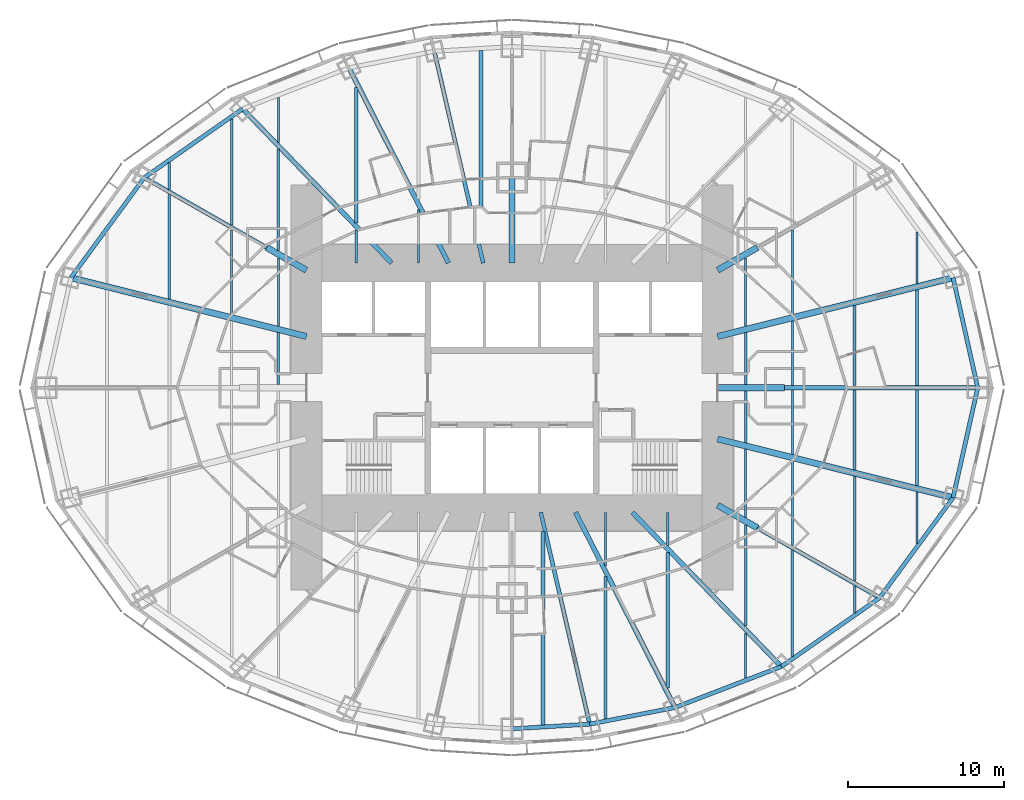
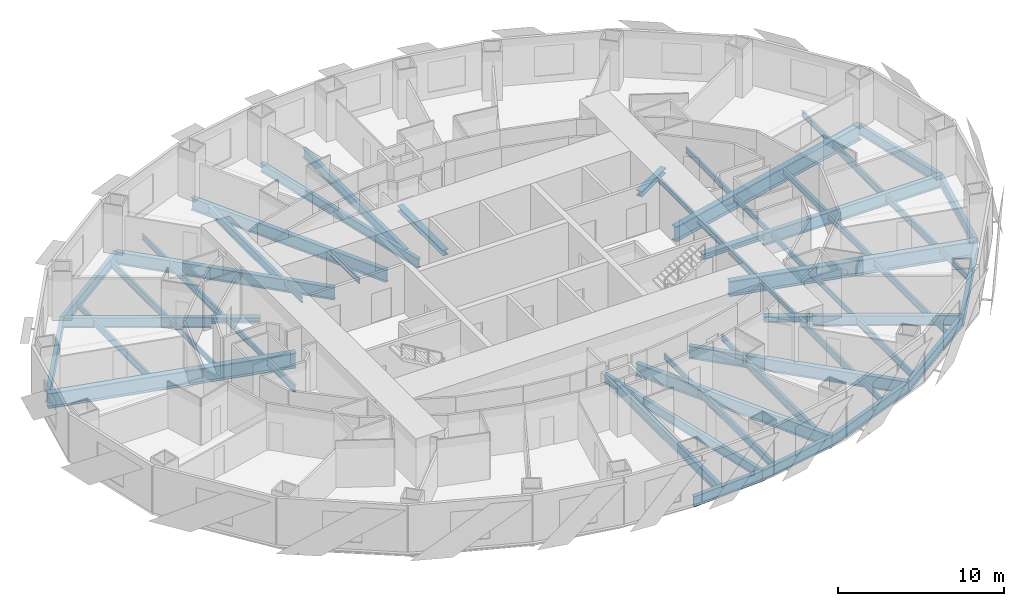
# One storey, part 2 of 15: 62 beams.
"""IFC4 building model written with IfcOpenShell, lengths in metres."""

from ifc_helpers import new_model, si_unit, direction, frame, origin, origin_2d, place, context, subcontext, project, spatial, i_section, extrude, material, material_profile, profile_set, type_object, element, save


model = new_model("IFC4")

# Units and contexts
model_context = context("Model", 3, precision=1e-05, world=origin(), true_north=direction((0.0, 1.0)))
body_context = subcontext(model_context, "Body", "Model", "MODEL_VIEW")
ifc_project = project(units=[si_unit("LENGTHUNIT", "METRE"), si_unit("AREAUNIT", "SQUARE_METRE"), si_unit("VOLUMEUNIT", "CUBIC_METRE"), si_unit("PLANEANGLEUNIT", "RADIAN"), si_unit("MASSUNIT", "GRAM", prefix="KILO")], contexts=[model_context])

# Site, building, storey
site_placement = place(None, origin())
site = spatial("IfcSite", under=ifc_project, at=site_placement, CompositionType="ELEMENT")
building_placement = place(site_placement, origin())
building = spatial("IfcBuilding", under=site, at=building_placement, Name="Lantaw Convention Tower", CompositionType="ELEMENT")
storey_placement = place(building_placement, frame((0.0, 0.0, 55.0)))
storey = spatial("IfcBuildingStorey", under=building, at=storey_placement, Name="L11", CompositionType="ELEMENT", Elevation=55.0)

# Beams
ifc_material = material(Name="Steel ASTM A992", Category="steel")
ifc_material_profile_1 = material_profile(ifc_material, i_section(OverallWidth=0.2666015625, OverallDepth=0.76953125, WebThickness=0.015625, FlangeThickness=0.025390625, FilletRadius=0.0126953125, at=origin_2d()), Name="W30X132")
ifc_profile_set_1 = profile_set([ifc_material_profile_1], Name="Steel ASTM A992")
beam_type_1 = type_object("IfcBeamType", Name="Beam E W30X132", PredefinedType="SPANDREL", material=ifc_profile_set_1)
beam_1_placement = place(storey_placement, frame((29.89990234375, 0.0, -0.534912109375), z_axis=(-0.218652184873, 0.975802860239, 0.0), x_axis=(-0.975802860239, -0.218652184873, 0.0)))
element("IfcBeam", 1, at=beam_1_placement, inside=storey, type_object=beam_type_1, Name="Edge beam 1", PredefinedType="SPANDREL", context=body_context, shape_type="SweptSolid", body=[
    extrude(i_section(OverallWidth=0.2666015625, OverallDepth=0.76953125, WebThickness=0.015625, FlangeThickness=0.025390625, FilletRadius=0.0126953125, at=origin_2d()), origin(), (0.0, 0.0, 1.0), 7.2353515625),
])
beam_2_placement = place(storey_placement, frame((-17.290771484375, 17.9052734375, -0.534912109375), z_axis=(-0.81942686407, -0.57318375277, 0.0), x_axis=(0.57318375277, -0.81942686407, 0.0)))
element("IfcBeam", 2, at=beam_2_placement, inside=storey, type_object=beam_type_1, Name="Edge beam 10", PredefinedType="SPANDREL", context=body_context, shape_type="SweptSolid", body=[
    extrude(i_section(OverallWidth=0.2666015625, OverallDepth=0.76953125, WebThickness=0.015625, FlangeThickness=0.025390625, FilletRadius=0.0126953125, at=origin_2d()), origin(), (0.0, 0.0, 1.0), 7.70556640625),
])
beam_3_placement = place(storey_placement, frame((-23.60498046875, 13.488525390625, -0.534912109375), z_axis=(-0.591270709086, -0.806473154281, 0.0), x_axis=(0.806473154281, -0.591270709086, 0.0)))
element("IfcBeam", 3, at=beam_3_placement, inside=storey, type_object=beam_type_1, Name="Edge beam 11", PredefinedType="SPANDREL", context=body_context, shape_type="SweptSolid", body=[
    extrude(i_section(OverallWidth=0.2666015625, OverallDepth=0.76953125, WebThickness=0.015625, FlangeThickness=0.025390625, FilletRadius=0.0126953125, at=origin_2d()), origin(), (0.0, 0.0, 1.0), 7.970703125),
])
beam_4_placement = place(storey_placement, frame((0.0, -21.89990234375, -0.534912109375), z_axis=(0.998173858406, 0.060406526096, 0.0), x_axis=(-0.060406526096, 0.998173858406, 0.0)))
element("IfcBeam", 4, at=beam_4_placement, inside=storey, type_object=beam_type_1, Name="Edge beam 19", PredefinedType="SPANDREL", context=body_context, shape_type="SweptSolid", body=[
    extrude(i_section(OverallWidth=0.2666015625, OverallDepth=0.76953125, WebThickness=0.015625, FlangeThickness=0.025390625, FilletRadius=0.0126953125, at=origin_2d()), origin(), (0.0, 0.0, 1.0), 4.995361328125),
])
beam_5_placement = place(storey_placement, frame((4.986328125, -21.59814453125, -0.534912109375), z_axis=(0.981636565323, 0.190760723474, 0.0), x_axis=(-0.190760723474, 0.981636565323, 0.0)))
element("IfcBeam", 5, at=beam_5_placement, inside=storey, type_object=beam_type_1, Name="Edge beam 20", PredefinedType="SPANDREL", context=body_context, shape_type="SweptSolid", body=[
    extrude(i_section(OverallWidth=0.2666015625, OverallDepth=0.76953125, WebThickness=0.015625, FlangeThickness=0.025390625, FilletRadius=0.0126953125, at=origin_2d()), origin(), (0.0, 0.0, 1.0), 5.578857421875),
])
beam_6_placement = place(storey_placement, frame((10.462646484375, -20.533935546875, -0.534912109375), z_axis=(0.933232900641, 0.359271976588, 0.0), x_axis=(-0.359271976588, 0.933232900641, 0.0)))
element("IfcBeam", 6, at=beam_6_placement, inside=storey, type_object=beam_type_1, Name="Edge beam 21", PredefinedType="SPANDREL", context=body_context, shape_type="SweptSolid", body=[
    extrude(i_section(OverallWidth=0.2666015625, OverallDepth=0.76953125, WebThickness=0.015625, FlangeThickness=0.025390625, FilletRadius=0.0126953125, at=origin_2d()), origin(), (0.0, 0.0, 1.0), 7.316650390625),
])
beam_7_placement = place(storey_placement, frame((17.290771484375, -17.9052734375, -0.534912109375), z_axis=(0.81942686407, 0.57318375277, 0.0), x_axis=(-0.57318375277, 0.81942686407, 0.0)))
element("IfcBeam", 7, at=beam_7_placement, inside=storey, type_object=beam_type_1, Name="Edge beam 22", PredefinedType="SPANDREL", context=body_context, shape_type="SweptSolid", body=[
    extrude(i_section(OverallWidth=0.2666015625, OverallDepth=0.76953125, WebThickness=0.015625, FlangeThickness=0.025390625, FilletRadius=0.0126953125, at=origin_2d()), origin(), (0.0, 0.0, 1.0), 7.70556640625),
])
beam_8_placement = place(storey_placement, frame((23.60498046875, -13.488525390625, -0.534912109375), z_axis=(0.591270709086, 0.806473154281, 0.0), x_axis=(-0.806473154281, 0.591270709086, 0.0)))
element("IfcBeam", 8, at=beam_8_placement, inside=storey, type_object=beam_type_1, Name="Edge beam 23", PredefinedType="SPANDREL", context=body_context, shape_type="SweptSolid", body=[
    extrude(i_section(OverallWidth=0.2666015625, OverallDepth=0.76953125, WebThickness=0.015625, FlangeThickness=0.025390625, FilletRadius=0.0126953125, at=origin_2d()), origin(), (0.0, 0.0, 1.0), 7.970703125),
])
beam_9_placement = place(storey_placement, frame((28.31787109375, -7.060302734375, -0.534912109375), z_axis=(0.218652184873, 0.975802860239, 0.0), x_axis=(-0.975802860239, 0.218652184873, 0.0)))
element("IfcBeam", 9, at=beam_9_placement, inside=storey, type_object=beam_type_1, Name="Edge beam 24", PredefinedType="SPANDREL", context=body_context, shape_type="SweptSolid", body=[
    extrude(i_section(OverallWidth=0.2666015625, OverallDepth=0.76953125, WebThickness=0.015625, FlangeThickness=0.025390625, FilletRadius=0.0126953125, at=origin_2d()), origin(), (0.0, 0.0, 1.0), 7.2353515625),
])
ifc_material_profile_2 = material_profile(ifc_material, i_section(OverallWidth=0.25390625, OverallDepth=0.683349609375, WebThickness=0.012451171875, FlangeThickness=0.01904296875, FilletRadius=0.01513671875, at=origin_2d()), Name="W27X94")
ifc_profile_set_2 = profile_set([ifc_material_profile_2], Name="Steel ASTM A992")
beam_type_2 = type_object("IfcBeamType", Name="Beam G W27X94", PredefinedType="BEAM", material=ifc_profile_set_2)
for number, where, z_axis, x_axis, name in (
    (10, (-1.846923828125, 8.0, -0.49169921875), (-0.224952773175, 0.97436966796, 0.0), (-0.97436966796, -0.224952773175, 0.0), "Floor girder on ray 8"),
    (11, (1.846923828125, -8.0, -0.49169921875), (0.224952773175, -0.97436966796, 0.0), (0.97436966796, 0.224952773175, 0.0), "Floor girder on ray 20"),
):
    element("IfcBeam", number, at=place(storey_placement, frame(where, z_axis=z_axis, x_axis=x_axis)), inside=storey, type_object=beam_type_2, Name=name, PredefinedType="BEAM", context=body_context, shape_type="SweptSolid", body=[
        extrude(i_section(OverallWidth=0.25390625, OverallDepth=0.683349609375, WebThickness=0.012451171875, FlangeThickness=0.01904296875, FilletRadius=0.01513671875, at=origin_2d()), origin(), (0.0, 0.0, 1.0), 13.955810546875),
    ])
ifc_material_profile_3 = material_profile(ifc_material, i_section(OverallWidth=0.2666015625, OverallDepth=0.7568359375, WebThickness=0.013916015625, FlangeThickness=0.019287109375, FilletRadius=0.0126953125, at=origin_2d()), Name="W30X108")
ifc_profile_set_3 = profile_set([ifc_material_profile_3], Name="Steel ASTM A992")
beam_type_3 = type_object("IfcBeamType", Name="Beam G W30X108", PredefinedType="BEAM", material=ifc_profile_set_3)
for number, where, z_axis, x_axis, name in (
    (12, (-15.75, 9.0, -0.528564453125), (-0.868244802791, 0.496136032179, 0.0), (-0.496136032179, -0.868244802791, 0.0), "Floor girder on ray 11"),
    (13, (15.75, -9.0, -0.528564453125), (0.868244802791, -0.496136032179, 0.0), (0.496136032179, 0.868244802791, 0.0), "Floor girder on ray 23"),
):
    element("IfcBeam", number, at=place(storey_placement, frame(where, z_axis=z_axis, x_axis=x_axis)), inside=storey, type_object=beam_type_3, Name=name, PredefinedType="BEAM", context=body_context, shape_type="SweptSolid", body=[
        extrude(i_section(OverallWidth=0.2666015625, OverallDepth=0.7568359375, WebThickness=0.013916015625, FlangeThickness=0.019287109375, FilletRadius=0.0126953125, at=origin_2d()), origin(), (0.0, 0.0, 1.0), 9.046875),
    ])
ifc_material_profile_4 = material_profile(ifc_material, i_section(OverallWidth=0.307373046875, OverallDepth=0.922119140625, WebThickness=0.018310546875, FlangeThickness=0.030029296875, FilletRadius=0.0126953125, at=origin_2d()), Name="W36X182")
ifc_profile_set_4 = profile_set([ifc_material_profile_4], Name="Steel ASTM A992")
beam_type_4 = type_object("IfcBeamType", Name="Beam G W36X182", PredefinedType="BEAM", material=ifc_profile_set_4)
beam_10_placement = place(storey_placement, frame((17.5, 0.0, -0.611083984375), z_axis=(1.0, 0.0, 0.0), x_axis=(0.0, 1.0, 0.0)))
element("IfcBeam", 14, at=beam_10_placement, inside=storey, type_object=beam_type_4, Name="Floor girder on ray 1", PredefinedType="BEAM", context=body_context, shape_type="SweptSolid", body=[
    extrude(i_section(OverallWidth=0.307373046875, OverallDepth=0.922119140625, WebThickness=0.018310546875, FlangeThickness=0.030029296875, FilletRadius=0.0126953125, at=origin_2d()), origin(), (0.0, 0.0, 1.0), 12.39990234375),
])
beam_11_placement = place(storey_placement, frame((-4.076171875, 8.0, -0.611083984375), z_axis=(-0.453997016122, 0.891003203896, 0.0), x_axis=(-0.891003203896, -0.453997016122, 0.0)))
element("IfcBeam", 15, at=beam_11_placement, inside=storey, type_object=beam_type_4, Name="Floor girder on ray 9", PredefinedType="BEAM", context=body_context, shape_type="SweptSolid", body=[
    extrude(i_section(OverallWidth=0.307373046875, OverallDepth=0.922119140625, WebThickness=0.018310546875, FlangeThickness=0.030029296875, FilletRadius=0.0126953125, at=origin_2d()), origin(), (0.0, 0.0, 1.0), 14.067138671875),
])
beam_12_placement = place(storey_placement, frame((-7.7255859375, 8.0, -0.611083984375), z_axis=(-0.694649884291, 0.719347995239, 0.0), x_axis=(-0.719347995239, -0.694649884291, 0.0)))
element("IfcBeam", 16, at=beam_12_placement, inside=storey, type_object=beam_type_4, Name="Floor girder on ray 10", PredefinedType="BEAM", context=body_context, shape_type="SweptSolid", body=[
    extrude(i_section(OverallWidth=0.307373046875, OverallDepth=0.922119140625, WebThickness=0.018310546875, FlangeThickness=0.030029296875, FilletRadius=0.0126953125, at=origin_2d()), origin(), (0.0, 0.0, 1.0), 13.769775390625),
])
beam_13_placement = place(storey_placement, frame((4.076171875, -8.0, -0.611083984375), z_axis=(0.453997016122, -0.891003203896, 0.0), x_axis=(0.891003203896, 0.453997016122, 0.0)))
element("IfcBeam", 17, at=beam_13_placement, inside=storey, type_object=beam_type_4, Name="Floor girder on ray 21", PredefinedType="BEAM", context=body_context, shape_type="SweptSolid", body=[
    extrude(i_section(OverallWidth=0.307373046875, OverallDepth=0.922119140625, WebThickness=0.018310546875, FlangeThickness=0.030029296875, FilletRadius=0.0126953125, at=origin_2d()), origin(), (0.0, 0.0, 1.0), 14.067138671875),
])
beam_14_placement = place(storey_placement, frame((7.7255859375, -8.0, -0.611083984375), z_axis=(0.694649884291, -0.719347995239, 0.0), x_axis=(0.719347995239, 0.694649884291, 0.0)))
element("IfcBeam", 18, at=beam_14_placement, inside=storey, type_object=beam_type_4, Name="Floor girder on ray 22", PredefinedType="BEAM", context=body_context, shape_type="SweptSolid", body=[
    extrude(i_section(OverallWidth=0.307373046875, OverallDepth=0.922119140625, WebThickness=0.018310546875, FlangeThickness=0.030029296875, FilletRadius=0.0126953125, at=origin_2d()), origin(), (0.0, 0.0, 1.0), 13.769775390625),
])
ifc_material_profile_5 = material_profile(ifc_material, i_section(OverallWidth=0.40380859375, OverallDepth=1.11767578125, WebThickness=0.026123046875, FlangeThickness=0.044921875, FilletRadius=0.02001953125, at=origin_2d()), Name="W44X335")
ifc_profile_set_5 = profile_set([ifc_material_profile_5], Name="Steel ASTM A992")
beam_type_5 = type_object("IfcBeamType", Name="Beam G W44X335", PredefinedType="BEAM", material=ifc_profile_set_5)
for number, where, z_axis, x_axis, name in (
    (19, (13.199951171875, 3.291015625, -0.708740234375), (0.970296233567, 0.241919860957, 0.0), (-0.241919860957, 0.970296233567, 0.0), "Floor girder on ray 2"),
    (20, (-13.199951171875, 3.291015625, -0.708740234375), (-0.970296233567, 0.241919860957, 0.0), (-0.241919860957, -0.970296233567, 0.0), "Floor girder on ray 12"),
    (21, (13.199951171875, -3.291015625, -0.708740234375), (0.970296233567, -0.241919860957, 0.0), (0.241919860957, 0.970296233567, 0.0), "Floor girder on ray 24"),
):
    element("IfcBeam", number, at=place(storey_placement, frame(where, z_axis=z_axis, x_axis=x_axis)), inside=storey, type_object=beam_type_5, Name=name, PredefinedType="BEAM", context=body_context, shape_type="SweptSolid", body=[
        extrude(i_section(OverallWidth=0.40380859375, OverallDepth=1.11767578125, WebThickness=0.026123046875, FlangeThickness=0.044921875, FilletRadius=0.02001953125, at=origin_2d()), origin(), (0.0, 0.0, 1.0), 15.580810546875),
    ])
ifc_material_profile_6 = material_profile(ifc_material, i_section(OverallWidth=0.40380859375, OverallDepth=0.406494140625, WebThickness=0.027099609375, FlangeThickness=0.043701171875, FilletRadius=0.01513671875, at=origin_2d()), Name="W14X233")
ifc_profile_set_6 = profile_set([ifc_material_profile_6], Name="Steel ASTM A992")
beam_type_6 = type_object("IfcBeamType", Name="Beam GM W14X233", PredefinedType="BEAM", material=ifc_profile_set_6)
beam_15_placement = place(storey_placement, frame((13.199951171875, 0.0, -0.353271484375), z_axis=(1.0, 0.0, 0.0), x_axis=(0.0, 1.0, 0.0)))
element("IfcBeam", 22, at=beam_15_placement, inside=storey, type_object=beam_type_6, Name="Core link beam on ray 1", PredefinedType="BEAM", context=body_context, shape_type="SweptSolid", body=[
    extrude(i_section(OverallWidth=0.40380859375, OverallDepth=0.406494140625, WebThickness=0.027099609375, FlangeThickness=0.043701171875, FilletRadius=0.01513671875, at=origin_2d()), origin(), (0.0, 0.0, 1.0), 4.300048828125),
])
beam_16_placement = place(storey_placement, frame((13.199951171875, 7.54296875, -0.353271484375), z_axis=(0.868263603466, 0.496103129295, 0.0), x_axis=(-0.496103129295, 0.868263603466, 0.0)))
element("IfcBeam", 23, at=beam_16_placement, inside=storey, type_object=beam_type_6, Name="Core link beam on ray 3", PredefinedType="BEAM", context=body_context, shape_type="SweptSolid", body=[
    extrude(i_section(OverallWidth=0.40380859375, OverallDepth=0.406494140625, WebThickness=0.027099609375, FlangeThickness=0.043701171875, FilletRadius=0.01513671875, at=origin_2d()), origin(), (0.0, 0.0, 1.0), 2.93701171875),
])
beam_17_placement = place(storey_placement, frame((0.0, 8.0, -0.353271484375), z_axis=(0.0, 1.0, 0.0), x_axis=(-1.0, 0.0, 0.0)))
element("IfcBeam", 24, at=beam_17_placement, inside=storey, type_object=beam_type_6, Name="Core link beam on ray 7", PredefinedType="BEAM", context=body_context, shape_type="SweptSolid", body=[
    extrude(i_section(OverallWidth=0.40380859375, OverallDepth=0.406494140625, WebThickness=0.027099609375, FlangeThickness=0.043701171875, FilletRadius=0.01513671875, at=origin_2d()), origin(), (0.0, 0.0, 1.0), 5.5),
])
for number, where, z_axis, x_axis, name in (
    (25, (-13.199951171875, 7.54296875, -0.353271484375), (-0.868263603466, 0.496103129295, 0.0), (-0.496103129295, -0.868263603466, 0.0), "Core link beam on ray 11"),
    (26, (13.199951171875, -7.54296875, -0.353271484375), (0.868263603466, -0.496103129295, 0.0), (0.496103129295, 0.868263603466, 0.0), "Core link beam on ray 23"),
):
    element("IfcBeam", number, at=place(storey_placement, frame(where, z_axis=z_axis, x_axis=x_axis)), inside=storey, type_object=beam_type_6, Name=name, PredefinedType="BEAM", context=body_context, shape_type="SweptSolid", body=[
        extrude(i_section(OverallWidth=0.40380859375, OverallDepth=0.406494140625, WebThickness=0.027099609375, FlangeThickness=0.043701171875, FilletRadius=0.01513671875, at=origin_2d()), origin(), (0.0, 0.0, 1.0), 2.93701171875),
    ])
ifc_material_profile_7 = material_profile(ifc_material, i_section(OverallWidth=0.140380859375, OverallDepth=0.40380859375, WebThickness=0.007080078125, FlangeThickness=0.01123046875, FilletRadius=0.01025390625, at=origin_2d()), Name="W16X31")
ifc_profile_set_7 = profile_set([ifc_material_profile_7], Name="Steel ASTM A992")
beam_type_7 = type_object("IfcBeamType", Name="Beam J W16X31", PredefinedType="JOIST", material=ifc_profile_set_7)
beam_18_placement = place(storey_placement, frame((-22.0, 12.72509765625, -0.35205078125), z_axis=(0.0, 1.0, 0.0), x_axis=(-1.0, 0.0, 0.0)))
element("IfcBeam", 27, at=beam_18_placement, inside=storey, type_object=beam_type_7, Name="Floor joist", PredefinedType="JOIST", context=body_context, shape_type="SweptSolid", body=[
    extrude(i_section(OverallWidth=0.140380859375, OverallDepth=0.40380859375, WebThickness=0.007080078125, FlangeThickness=0.01123046875, FilletRadius=0.01025390625, at=origin_2d()), origin(), (0.0, 0.0, 1.0), 1.723388671875),
])
beam_19_placement = place(storey_placement, frame((-18.0, 4.696044921875, -0.35205078125), z_axis=(0.0, 1.0, 0.0), x_axis=(-1.0, 0.0, 0.0)))
element("IfcBeam", 28, at=beam_19_placement, inside=storey, type_object=beam_type_7, Name="Floor joist", PredefinedType="JOIST", context=body_context, shape_type="SweptSolid", body=[
    extrude(i_section(OverallWidth=0.140380859375, OverallDepth=0.40380859375, WebThickness=0.007080078125, FlangeThickness=0.01123046875, FilletRadius=0.01025390625, at=origin_2d()), origin(), (0.0, 0.0, 1.0), 5.43603515625),
])
beam_20_placement = place(storey_placement, frame((-15.0, 3.947998046875, -0.35205078125), z_axis=(0.0, 1.0, 0.0), x_axis=(-1.0, 0.0, 0.0)))
element("IfcBeam", 29, at=beam_20_placement, inside=storey, type_object=beam_type_7, Name="Floor joist", PredefinedType="JOIST", context=body_context, shape_type="SweptSolid", body=[
    extrude(i_section(OverallWidth=0.140380859375, OverallDepth=0.40380859375, WebThickness=0.007080078125, FlangeThickness=0.01123046875, FilletRadius=0.01025390625, at=origin_2d()), origin(), (0.0, 0.0, 1.0), 4.390869140625),
])
beam_21_placement = place(storey_placement, frame((-15.0, 15.754150390625, -0.35205078125), z_axis=(0.0, 1.0, 0.0), x_axis=(-1.0, 0.0, 0.0)))
element("IfcBeam", 30, at=beam_21_placement, inside=storey, type_object=beam_type_7, Name="Floor joist", PredefinedType="JOIST", context=body_context, shape_type="SweptSolid", body=[
    extrude(i_section(OverallWidth=0.140380859375, OverallDepth=0.40380859375, WebThickness=0.007080078125, FlangeThickness=0.01123046875, FilletRadius=0.01025390625, at=origin_2d()), origin(), (0.0, 0.0, 1.0), 2.89013671875),
])
beam_22_placement = place(storey_placement, frame((-10.0, 8.0, -0.35205078125), z_axis=(0.0, 1.0, 0.0), x_axis=(-1.0, 0.0, 0.0)))
element("IfcBeam", 31, at=beam_22_placement, inside=storey, type_object=beam_type_7, Name="Floor joist", PredefinedType="JOIST", context=body_context, shape_type="SweptSolid", body=[
    extrude(i_section(OverallWidth=0.140380859375, OverallDepth=0.40380859375, WebThickness=0.007080078125, FlangeThickness=0.01123046875, FilletRadius=0.01025390625, at=origin_2d()), origin(), (0.0, 0.0, 1.0), 2.134033203125),
])
for number, where, z_axis, x_axis, name in (
    (32, (-6.0, 8.0, -0.35205078125), (0.0, 1.0, 0.0), (-1.0, 0.0, 0.0), "Floor joist"),
    (33, (6.0, -11.437255859375, -0.35205078125), (0.0, 1.0, 0.0), (-1.0, 0.0, 0.0), "Floor joist"),
):
    element("IfcBeam", number, at=place(storey_placement, frame(where, z_axis=z_axis, x_axis=x_axis)), inside=storey, type_object=beam_type_7, Name=name, PredefinedType="JOIST", context=body_context, shape_type="SweptSolid", body=[
        extrude(i_section(OverallWidth=0.140380859375, OverallDepth=0.40380859375, WebThickness=0.007080078125, FlangeThickness=0.01123046875, FilletRadius=0.01025390625, at=origin_2d()), origin(), (0.0, 0.0, 1.0), 3.437255859375),
    ])
beam_23_placement = place(storey_placement, frame((10.0, -10.134033203125, -0.35205078125), z_axis=(0.0, 1.0, 0.0), x_axis=(-1.0, 0.0, 0.0)))
element("IfcBeam", 34, at=beam_23_placement, inside=storey, type_object=beam_type_7, Name="Floor joist", PredefinedType="JOIST", context=body_context, shape_type="SweptSolid", body=[
    extrude(i_section(OverallWidth=0.140380859375, OverallDepth=0.40380859375, WebThickness=0.007080078125, FlangeThickness=0.01123046875, FilletRadius=0.01025390625, at=origin_2d()), origin(), (0.0, 0.0, 1.0), 2.134033203125),
])
beam_24_placement = place(storey_placement, frame((15.0, -18.644287109375, -0.35205078125), z_axis=(0.0, 1.0, 0.0), x_axis=(-1.0, 0.0, 0.0)))
element("IfcBeam", 35, at=beam_24_placement, inside=storey, type_object=beam_type_7, Name="Floor joist", PredefinedType="JOIST", context=body_context, shape_type="SweptSolid", body=[
    extrude(i_section(OverallWidth=0.140380859375, OverallDepth=0.40380859375, WebThickness=0.007080078125, FlangeThickness=0.01123046875, FilletRadius=0.01025390625, at=origin_2d()), origin(), (0.0, 0.0, 1.0), 2.89013671875),
])
for number, where, z_axis, x_axis, name in (
    (36, (15.0, -8.3388671875, -0.35205078125), (0.0, 1.0, 0.0), (-1.0, 0.0, 0.0), "Floor joist"),
    (37, (15.0, 3.947998046875, -0.35205078125), (0.0, 1.0, 0.0), (-1.0, 0.0, 0.0), "Floor joist"),
):
    element("IfcBeam", number, at=place(storey_placement, frame(where, z_axis=z_axis, x_axis=x_axis)), inside=storey, type_object=beam_type_7, Name=name, PredefinedType="JOIST", context=body_context, shape_type="SweptSolid", body=[
        extrude(i_section(OverallWidth=0.140380859375, OverallDepth=0.40380859375, WebThickness=0.007080078125, FlangeThickness=0.01123046875, FilletRadius=0.01025390625, at=origin_2d()), origin(), (0.0, 0.0, 1.0), 4.390869140625),
    ])
beam_25_placement = place(storey_placement, frame((18.0, -10.132080078125, -0.35205078125), z_axis=(0.0, 1.0, 0.0), x_axis=(-1.0, 0.0, 0.0)))
element("IfcBeam", 38, at=beam_25_placement, inside=storey, type_object=beam_type_7, Name="Floor joist", PredefinedType="JOIST", context=body_context, shape_type="SweptSolid", body=[
    extrude(i_section(OverallWidth=0.140380859375, OverallDepth=0.40380859375, WebThickness=0.007080078125, FlangeThickness=0.01123046875, FilletRadius=0.01025390625, at=origin_2d()), origin(), (0.0, 0.0, 1.0), 5.43603515625),
])
for number, where, z_axis, x_axis, name in (
    (39, (18.0, -4.27978515625, -0.35205078125), (0.0, 1.0, 0.0), (-1.0, 0.0, 0.0), "Floor joist"),
    (40, (18.0, 0.153564453125, -0.35205078125), (0.0, 1.0, 0.0), (-1.0, 0.0, 0.0), "Floor joist"),
):
    element("IfcBeam", number, at=place(storey_placement, frame(where, z_axis=z_axis, x_axis=x_axis)), inside=storey, type_object=beam_type_7, Name=name, PredefinedType="JOIST", context=body_context, shape_type="SweptSolid", body=[
        extrude(i_section(OverallWidth=0.140380859375, OverallDepth=0.40380859375, WebThickness=0.007080078125, FlangeThickness=0.01123046875, FilletRadius=0.01025390625, at=origin_2d()), origin(), (0.0, 0.0, 1.0), 4.126220703125),
    ])
beam_26_placement = place(storey_placement, frame((18.0, 4.696044921875, -0.35205078125), z_axis=(0.0, 1.0, 0.0), x_axis=(-1.0, 0.0, 0.0)))
element("IfcBeam", 41, at=beam_26_placement, inside=storey, type_object=beam_type_7, Name="Floor joist", PredefinedType="JOIST", context=body_context, shape_type="SweptSolid", body=[
    extrude(i_section(OverallWidth=0.140380859375, OverallDepth=0.40380859375, WebThickness=0.007080078125, FlangeThickness=0.01123046875, FilletRadius=0.01025390625, at=origin_2d()), origin(), (0.0, 0.0, 1.0), 5.43603515625),
])
beam_27_placement = place(storey_placement, frame((22.0, -14.448486328125, -0.35205078125), z_axis=(0.0, 1.0, 0.0), x_axis=(-1.0, 0.0, 0.0)))
element("IfcBeam", 42, at=beam_27_placement, inside=storey, type_object=beam_type_7, Name="Floor joist", PredefinedType="JOIST", context=body_context, shape_type="SweptSolid", body=[
    extrude(i_section(OverallWidth=0.140380859375, OverallDepth=0.40380859375, WebThickness=0.007080078125, FlangeThickness=0.01123046875, FilletRadius=0.01025390625, at=origin_2d()), origin(), (0.0, 0.0, 1.0), 1.723388671875),
])
for number, where, z_axis, x_axis, name in (
    (43, (26.0, -9.996337890625, -0.35205078125), (0.0, 1.0, 0.0), (-1.0, 0.0, 0.0), "Floor joist"),
    (44, (26.0, 6.690673828125, -0.35205078125), (0.0, 1.0, 0.0), (-1.0, 0.0, 0.0), "Floor joist"),
):
    element("IfcBeam", number, at=place(storey_placement, frame(where, z_axis=z_axis, x_axis=x_axis)), inside=storey, type_object=beam_type_7, Name=name, PredefinedType="JOIST", context=body_context, shape_type="SweptSolid", body=[
        extrude(i_section(OverallWidth=0.140380859375, OverallDepth=0.40380859375, WebThickness=0.007080078125, FlangeThickness=0.01123046875, FilletRadius=0.01025390625, at=origin_2d()), origin(), (0.0, 0.0, 1.0), 3.3056640625),
    ])
ifc_material_profile_8 = material_profile(ifc_material, i_section(OverallWidth=0.1904296875, OverallDepth=0.457275390625, WebThickness=0.009033203125, FlangeThickness=0.014404296875, FilletRadius=0.01025390625, at=origin_2d()), Name="W18X50")
ifc_profile_set_8 = profile_set([ifc_material_profile_8], Name="Steel ASTM A992")
beam_type_8 = type_object("IfcBeamType", Name="Beam J W18X50", PredefinedType="JOIST", material=ifc_profile_set_8)
for number, where, z_axis, x_axis, name in (
    (45, (22.0, -5.277099609375, -0.378662109375), (0.0, 1.0, 0.0), (-1.0, 0.0, 0.0), "Floor joist"),
    (46, (22.0, 0.153564453125, -0.378662109375), (0.0, 1.0, 0.0), (-1.0, 0.0, 0.0), "Floor joist"),
):
    element("IfcBeam", number, at=place(storey_placement, frame(where, z_axis=z_axis, x_axis=x_axis)), inside=storey, type_object=beam_type_8, Name=name, PredefinedType="JOIST", context=body_context, shape_type="SweptSolid", body=[
        extrude(i_section(OverallWidth=0.1904296875, OverallDepth=0.457275390625, WebThickness=0.009033203125, FlangeThickness=0.014404296875, FilletRadius=0.01025390625, at=origin_2d()), origin(), (0.0, 0.0, 1.0), 5.12353515625),
    ])
ifc_material_profile_9 = material_profile(ifc_material, i_section(OverallWidth=0.1650390625, OverallDepth=0.52587890625, WebThickness=0.0087890625, FlangeThickness=0.011474609375, FilletRadius=0.0126953125, at=origin_2d()), Name="W21X44")
ifc_profile_set_9 = profile_set([ifc_material_profile_9], Name="Steel ASTM A992")
beam_type_9 = type_object("IfcBeamType", Name="Beam J W21X44", PredefinedType="JOIST", material=ifc_profile_set_9)
beam_28_placement = place(storey_placement, frame((-22.0, 5.693359375, -0.412841796875), z_axis=(0.0, 1.0, 0.0), x_axis=(-1.0, 0.0, 0.0)))
element("IfcBeam", 47, at=beam_28_placement, inside=storey, type_object=beam_type_9, Name="Floor joist", PredefinedType="JOIST", context=body_context, shape_type="SweptSolid", body=[
    extrude(i_section(OverallWidth=0.1650390625, OverallDepth=0.52587890625, WebThickness=0.0087890625, FlangeThickness=0.011474609375, FilletRadius=0.0126953125, at=origin_2d()), origin(), (0.0, 0.0, 1.0), 6.724609375),
])
beam_29_placement = place(storey_placement, frame((-18.0, 10.439208984375, -0.412841796875), z_axis=(0.0, 1.0, 0.0), x_axis=(-1.0, 0.0, 0.0)))
element("IfcBeam", 48, at=beam_29_placement, inside=storey, type_object=beam_type_9, Name="Floor joist", PredefinedType="JOIST", context=body_context, shape_type="SweptSolid", body=[
    extrude(i_section(OverallWidth=0.1650390625, OverallDepth=0.52587890625, WebThickness=0.0087890625, FlangeThickness=0.011474609375, FilletRadius=0.0126953125, at=origin_2d()), origin(), (0.0, 0.0, 1.0), 6.80712890625),
])
for number, where, z_axis, x_axis, name in (
    (49, (-15.0, 8.803955078125, -0.412841796875), (0.0, 1.0, 0.0), (-1.0, 0.0, 0.0), "Floor joist"),
    (50, (15.0, -15.311767578125, -0.412841796875), (0.0, 1.0, 0.0), (-1.0, 0.0, 0.0), "Floor joist"),
):
    element("IfcBeam", number, at=place(storey_placement, frame(where, z_axis=z_axis, x_axis=x_axis)), inside=storey, type_object=beam_type_9, Name=name, PredefinedType="JOIST", context=body_context, shape_type="SweptSolid", body=[
        extrude(i_section(OverallWidth=0.1650390625, OverallDepth=0.52587890625, WebThickness=0.0087890625, FlangeThickness=0.011474609375, FilletRadius=0.0126953125, at=origin_2d()), origin(), (0.0, 0.0, 1.0), 6.5078125),
    ])
beam_30_placement = place(storey_placement, frame((18.0, -17.246337890625, -0.412841796875), z_axis=(0.0, 1.0, 0.0), x_axis=(-1.0, 0.0, 0.0)))
element("IfcBeam", 51, at=beam_30_placement, inside=storey, type_object=beam_type_9, Name="Floor joist", PredefinedType="JOIST", context=body_context, shape_type="SweptSolid", body=[
    extrude(i_section(OverallWidth=0.1650390625, OverallDepth=0.52587890625, WebThickness=0.0087890625, FlangeThickness=0.011474609375, FilletRadius=0.0126953125, at=origin_2d()), origin(), (0.0, 0.0, 1.0), 6.80712890625),
])
beam_31_placement = place(storey_placement, frame((22.0, -12.41796875, -0.412841796875), z_axis=(0.0, 1.0, 0.0), x_axis=(-1.0, 0.0, 0.0)))
element("IfcBeam", 52, at=beam_31_placement, inside=storey, type_object=beam_type_9, Name="Floor joist", PredefinedType="JOIST", context=body_context, shape_type="SweptSolid", body=[
    extrude(i_section(OverallWidth=0.1650390625, OverallDepth=0.52587890625, WebThickness=0.0087890625, FlangeThickness=0.011474609375, FilletRadius=0.0126953125, at=origin_2d()), origin(), (0.0, 0.0, 1.0), 6.724609375),
])
ifc_material_profile_10 = material_profile(ifc_material, i_section(OverallWidth=0.165771484375, OverallDepth=0.5283203125, WebThickness=0.009765625, FlangeThickness=0.013671875, FilletRadius=0.012939453125, at=origin_2d()), Name="W21X50")
ifc_profile_set_10 = profile_set([ifc_material_profile_10], Name="Steel ASTM A992")
beam_type_10 = type_object("IfcBeamType", Name="Beam J W21X50", PredefinedType="JOIST", material=ifc_profile_set_10)
for number, where, z_axis, x_axis, name in (
    (53, (-15.0, 0.201904296875, -0.4140625), (0.0, 1.0, 0.0), (-1.0, 0.0, 0.0), "Floor joist"),
    (54, (15.0, -3.53173828125, -0.4140625), (0.0, 1.0, 0.0), (-1.0, 0.0, 0.0), "Floor joist"),
    (55, (15.0, 0.201904296875, -0.4140625), (0.0, 1.0, 0.0), (-1.0, 0.0, 0.0), "Floor joist"),
):
    element("IfcBeam", number, at=place(storey_placement, frame(where, z_axis=z_axis, x_axis=x_axis)), inside=storey, type_object=beam_type_10, Name=name, PredefinedType="JOIST", context=body_context, shape_type="SweptSolid", body=[
        extrude(i_section(OverallWidth=0.165771484375, OverallDepth=0.5283203125, WebThickness=0.009765625, FlangeThickness=0.013671875, FilletRadius=0.012939453125, at=origin_2d()), origin(), (0.0, 0.0, 1.0), 3.329833984375),
    ])
for number, where, z_axis, x_axis, name in (
    (56, (26.0, -6.2744140625, -0.4140625), (0.0, 1.0, 0.0), (-1.0, 0.0, 0.0), "Floor joist"),
    (57, (26.0, 0.153564453125, -0.4140625), (0.0, 1.0, 0.0), (-1.0, 0.0, 0.0), "Floor joist"),
):
    element("IfcBeam", number, at=place(storey_placement, frame(where, z_axis=z_axis, x_axis=x_axis)), inside=storey, type_object=beam_type_10, Name=name, PredefinedType="JOIST", context=body_context, shape_type="SweptSolid", body=[
        extrude(i_section(OverallWidth=0.165771484375, OverallDepth=0.5283203125, WebThickness=0.009765625, FlangeThickness=0.013671875, FilletRadius=0.012939453125, at=origin_2d()), origin(), (0.0, 0.0, 1.0), 6.120849609375),
    ])
ifc_material_profile_11 = material_profile(ifc_material, i_section(OverallWidth=0.2099609375, OverallDepth=0.535888671875, WebThickness=0.010986328125, FlangeThickness=0.017333984375, FilletRadius=0.012939453125, at=origin_2d()), Name="W21X68")
ifc_profile_set_11 = profile_set([ifc_material_profile_11], Name="Steel ASTM A992")
beam_type_11 = type_object("IfcBeamType", Name="Beam J W21X68", PredefinedType="JOIST", material=ifc_profile_set_11)
beam_32_placement = place(storey_placement, frame((6.0, -21.26513671875, -0.41796875), z_axis=(0.0, 1.0, 0.0), x_axis=(-1.0, 0.0, 0.0)))
element("IfcBeam", 58, at=beam_32_placement, inside=storey, type_object=beam_type_11, Name="Floor joist", PredefinedType="JOIST", context=body_context, shape_type="SweptSolid", body=[
    extrude(i_section(OverallWidth=0.2099609375, OverallDepth=0.535888671875, WebThickness=0.010986328125, FlangeThickness=0.017333984375, FilletRadius=0.012939453125, at=origin_2d()), origin(), (0.0, 0.0, 1.0), 9.15087890625),
])
ifc_material_profile_12 = material_profile(ifc_material, i_section(OverallWidth=0.227783203125, OverallDepth=0.60205078125, WebThickness=0.010498046875, FlangeThickness=0.014892578125, FilletRadius=0.012939453125, at=origin_2d()), Name="W24X68")
ifc_profile_set_12 = profile_set([ifc_material_profile_12], Name="Steel ASTM A992")
beam_type_12 = type_object("IfcBeamType", Name="Beam J W24X68", PredefinedType="JOIST", material=ifc_profile_set_12)
for number, where, z_axis, x_axis, name in (
    (59, (-10.0, 10.576416015625, -0.450927734375), (0.0, 1.0, 0.0), (-1.0, 0.0, 0.0), "Floor joist"),
    (60, (10.0, -19.28759765625, -0.450927734375), (0.0, 1.0, 0.0), (-1.0, 0.0, 0.0), "Floor joist"),
):
    element("IfcBeam", number, at=place(storey_placement, frame(where, z_axis=z_axis, x_axis=x_axis)), inside=storey, type_object=beam_type_12, Name=name, PredefinedType="JOIST", context=body_context, shape_type="SweptSolid", body=[
        extrude(i_section(OverallWidth=0.227783203125, OverallDepth=0.60205078125, WebThickness=0.010498046875, FlangeThickness=0.014892578125, FilletRadius=0.012939453125, at=origin_2d()), origin(), (0.0, 0.0, 1.0), 8.711181640625),
    ])
ifc_material_profile_13 = material_profile(ifc_material, i_section(OverallWidth=0.25390625, OverallDepth=0.700927734375, WebThickness=0.015380859375, FlangeThickness=0.02783203125, FilletRadius=0.01513671875, at=origin_2d()), Name="W27X129")
ifc_profile_set_13 = profile_set([ifc_material_profile_13], Name="Steel ASTM A992")
beam_type_13 = type_object("IfcBeamType", Name="Beam J W27X129", PredefinedType="JOIST", material=ifc_profile_set_13)
for number, where, z_axis, x_axis, name in (
    (61, (-2.0, 9.2275390625, -0.50048828125), (0.0, 1.0, 0.0), (-1.0, 0.0, 0.0), "Floor joist"),
    (62, (2.0, -21.645263671875, -0.50048828125), (0.0, 1.0, 0.0), (-1.0, 0.0, 0.0), "Floor joist"),
):
    element("IfcBeam", number, at=place(storey_placement, frame(where, z_axis=z_axis, x_axis=x_axis)), inside=storey, type_object=beam_type_13, Name=name, PredefinedType="JOIST", context=body_context, shape_type="SweptSolid", body=[
        extrude(i_section(OverallWidth=0.25390625, OverallDepth=0.700927734375, WebThickness=0.015380859375, FlangeThickness=0.02783203125, FilletRadius=0.01513671875, at=origin_2d()), origin(), (0.0, 0.0, 1.0), 12.417724609375),
    ])

save(model, "model.ifc")
